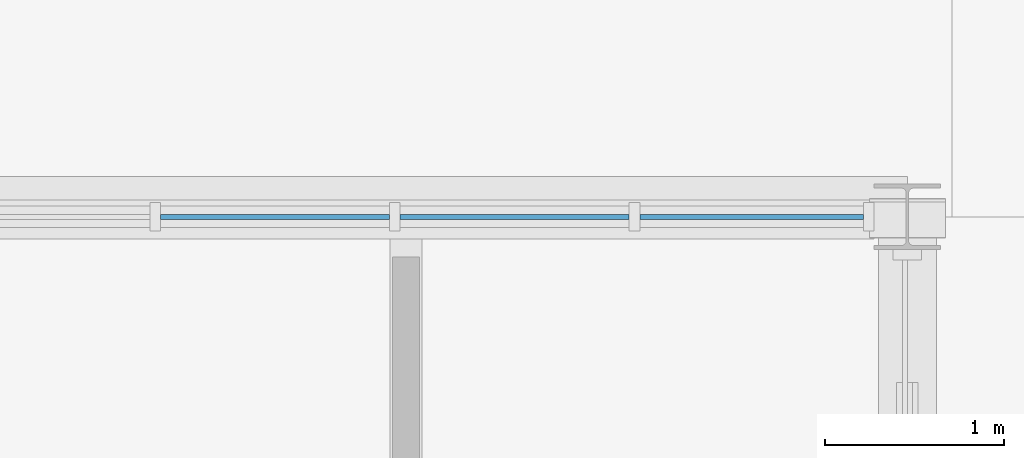
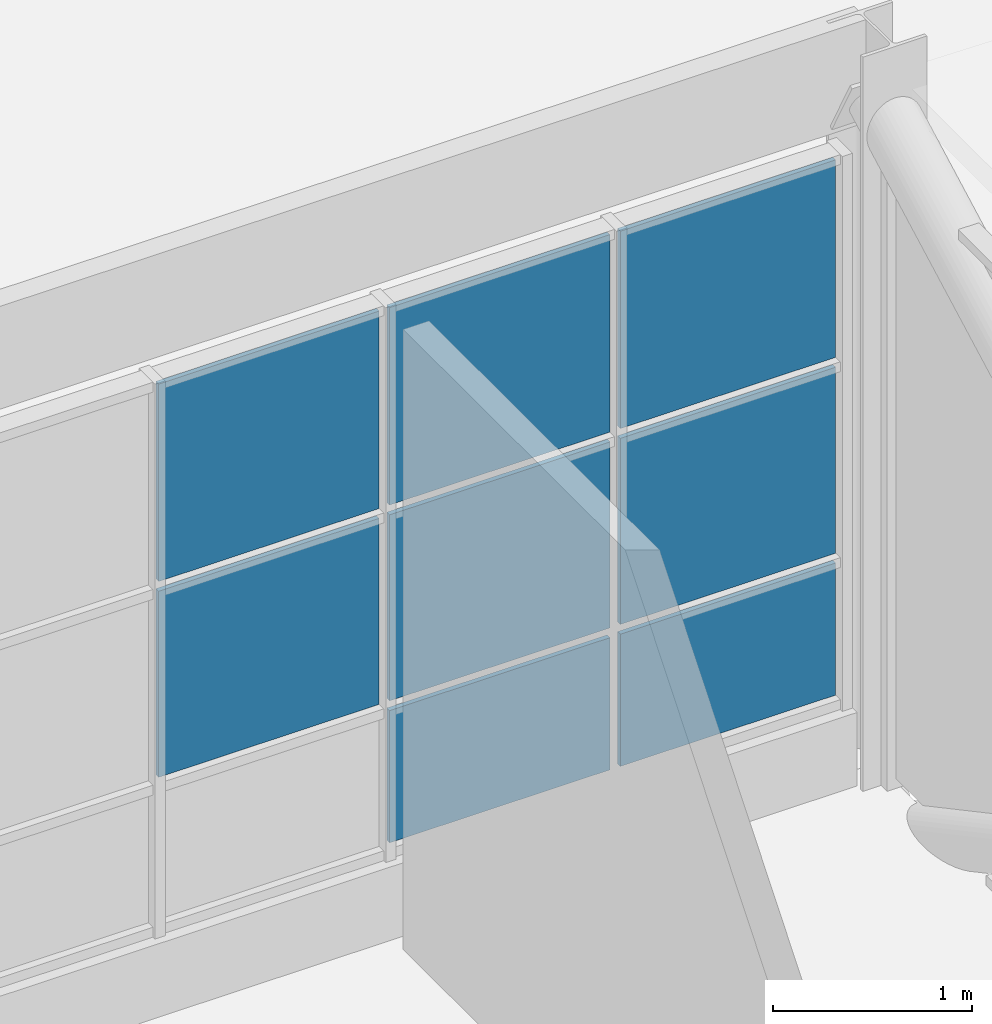
# One storey, part 81 of 116: 8 plates, 1 element without a shape of its own.
"""IFC4 building model written with IfcOpenShell, lengths in metres."""

from ifc_helpers import new_model, si_unit, direction, frame, origin, origin_2d, place, context, subcontext, project, spatial, rectangle, extrude, material, layer, layer_set, type_object, element, aggregate, save


model = new_model("IFC4")

# Units and contexts
model_context = context("Model", 3, precision=1e-05, world=origin(), true_north=direction((0.0, 1.0)))
body_context = subcontext(model_context, "Body", "Model", "MODEL_VIEW")
ifc_project = project(units=[si_unit("LENGTHUNIT", "METRE"), si_unit("AREAUNIT", "SQUARE_METRE"), si_unit("VOLUMEUNIT", "CUBIC_METRE"), si_unit("PLANEANGLEUNIT", "RADIAN"), si_unit("MASSUNIT", "GRAM", prefix="KILO")], contexts=[model_context])

# Site, building, storey
site_placement = place(None, origin())
site = spatial("IfcSite", under=ifc_project, at=site_placement, CompositionType="ELEMENT")
building_placement = place(site_placement, origin())
building = spatial("IfcBuilding", under=site, at=building_placement, Name="Ardhachandra Cancer Care Centre", CompositionType="ELEMENT")
storey_placement = place(building_placement, origin())
storey = spatial("IfcBuildingStorey", under=building, at=storey_placement, Name="L00", CompositionType="ELEMENT", Elevation=0.0)

# Curtain wall, plates
ifc_material_1 = material(Name="Aluminium extrusion", Category="aluminium")
ifc_layer_1 = layer(ifc_material_1, 0.14990234375)
ifc_layer_set_1 = layer_set([ifc_layer_1], Name="Aluminium extrusion")
curtain_wall_type = type_object("IfcCurtainWallType", Name="Curtain wall run", PredefinedType="NOTDEFINED", material=ifc_layer_set_1)
curtain_wall_placement = place(storey_placement, origin())
curtain_wall = element("IfcCurtainWall", 1, at=curtain_wall_placement, inside=storey, type_object=curtain_wall_type, Name="Curtain wall L00 n/0136800_0105000", PredefinedType="NOTDEFINED")
ifc_material_2 = material(Name="Low-iron double-glazed unit")
ifc_layer_2 = layer(ifc_material_2, 0.028076171875)
ifc_layer_set_2 = layer_set([ifc_layer_2], Name="Low-iron double-glazed unit")
plate_type_1 = type_object("IfcPlateType", Name="Curtain wall glazing 28", PredefinedType="CURTAIN_PANEL", material=ifc_layer_set_2)
plate_1_placement = place(storey_placement, frame((141.669189453125, 105.0, 1.3798828125), z_axis=(0.0, 0.0, 1.0), x_axis=(1.0, 0.0, 0.0)))
plate_1 = element("IfcPlate", 2, at=plate_1_placement, type_object=plate_type_1, Name="CW panel 4.2", PredefinedType="CURTAIN_PANEL", context=body_context, shape_type="SweptSolid", body=[
    extrude(rectangle(XDim=1.278076171875, YDim=0.028076171875, at=origin_2d()), origin(), (0.0, 0.0, 1.0), 1.139892578125),
])
plate_2_placement = place(storey_placement, frame((141.669189453125, 105.0, 2.580078125), z_axis=(0.0, 0.0, 1.0), x_axis=(1.0, 0.0, 0.0)))
plate_2 = element("IfcPlate", 3, at=plate_2_placement, type_object=plate_type_1, Name="CW panel 4.3", PredefinedType="CURTAIN_PANEL", context=body_context, shape_type="SweptSolid", body=[
    extrude(rectangle(XDim=1.278076171875, YDim=0.028076171875, at=origin_2d()), origin(), (0.0, 0.0, 1.0), 1.2099609375),
])
plate_3_placement = place(storey_placement, frame((143.00732421875, 105.0, 1.3798828125), z_axis=(0.0, 0.0, 1.0), x_axis=(1.0, 0.0, 0.0)))
plate_3 = element("IfcPlate", 4, at=plate_3_placement, type_object=plate_type_1, Name="CW panel 5.2", PredefinedType="CURTAIN_PANEL", context=body_context, shape_type="SweptSolid", body=[
    extrude(rectangle(XDim=1.278076171875, YDim=0.028076171875, at=origin_2d()), origin(), (0.0, 0.0, 1.0), 1.139892578125),
])
plate_4_placement = place(storey_placement, frame((143.00732421875, 105.0, 2.580078125), z_axis=(0.0, 0.0, 1.0), x_axis=(1.0, 0.0, 0.0)))
plate_4 = element("IfcPlate", 5, at=plate_4_placement, type_object=plate_type_1, Name="CW panel 5.3", PredefinedType="CURTAIN_PANEL", context=body_context, shape_type="SweptSolid", body=[
    extrude(rectangle(XDim=1.278076171875, YDim=0.028076171875, at=origin_2d()), origin(), (0.0, 0.0, 1.0), 1.2099609375),
])
plate_5_placement = place(storey_placement, frame((144.330322265625, 105.0, 1.3798828125), z_axis=(0.0, 0.0, 1.0), x_axis=(1.0, 0.0, 0.0)))
plate_5 = element("IfcPlate", 6, at=plate_5_placement, type_object=plate_type_1, Name="CW panel 6.2", PredefinedType="CURTAIN_PANEL", context=body_context, shape_type="SweptSolid", body=[
    extrude(rectangle(XDim=1.248046875, YDim=0.028076171875, at=origin_2d()), origin(), (0.0, 0.0, 1.0), 1.139892578125),
])
plate_6_placement = place(storey_placement, frame((144.330322265625, 105.0, 2.580078125), z_axis=(0.0, 0.0, 1.0), x_axis=(1.0, 0.0, 0.0)))
plate_6 = element("IfcPlate", 7, at=plate_6_placement, type_object=plate_type_1, Name="CW panel 6.3", PredefinedType="CURTAIN_PANEL", context=body_context, shape_type="SweptSolid", body=[
    extrude(rectangle(XDim=1.248046875, YDim=0.028076171875, at=origin_2d()), origin(), (0.0, 0.0, 1.0), 1.2099609375),
])
ifc_material_3 = material(Name="Aluminium composite spandrel panel", Category="aluminium")
ifc_layer_3 = layer(ifc_material_3, 0.028076171875)
ifc_layer_set_3 = layer_set([ifc_layer_3], Name="Aluminium composite spandrel panel")
plate_type_2 = type_object("IfcPlateType", Name="Curtain wall spandrel panel 28", PredefinedType="CURTAIN_PANEL", material=ifc_layer_set_3)
plate_7_placement = place(storey_placement, frame((143.00732421875, 105.0, 0.510009765625), z_axis=(0.0, 0.0, 1.0), x_axis=(1.0, 0.0, 0.0)))
plate_7 = element("IfcPlate", 8, at=plate_7_placement, type_object=plate_type_2, Name="CW panel 5.1", PredefinedType="CURTAIN_PANEL", context=body_context, shape_type="SweptSolid", body=[
    extrude(rectangle(XDim=1.278076171875, YDim=0.028076171875, at=origin_2d()), origin(), (0.0, 0.0, 1.0), 0.81005859375),
])
plate_8_placement = place(storey_placement, frame((144.330322265625, 105.0, 0.510009765625), z_axis=(0.0, 0.0, 1.0), x_axis=(1.0, 0.0, 0.0)))
plate_8 = element("IfcPlate", 9, at=plate_8_placement, type_object=plate_type_2, Name="CW panel 6.1", PredefinedType="CURTAIN_PANEL", context=body_context, shape_type="SweptSolid", body=[
    extrude(rectangle(XDim=1.248046875, YDim=0.028076171875, at=origin_2d()), origin(), (0.0, 0.0, 1.0), 0.81005859375),
])
aggregate(curtain_wall, [plate_1, plate_2, plate_7, plate_3, plate_4, plate_8, plate_5, plate_6])

save(model, "model.ifc")
